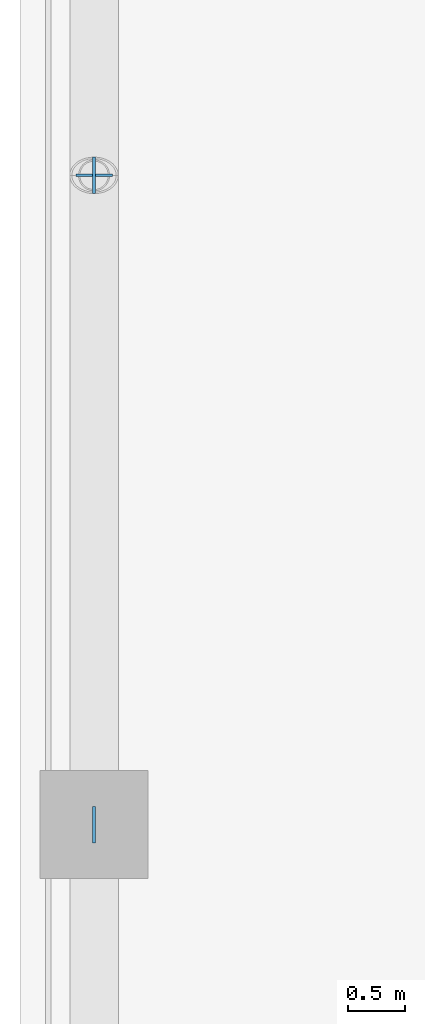
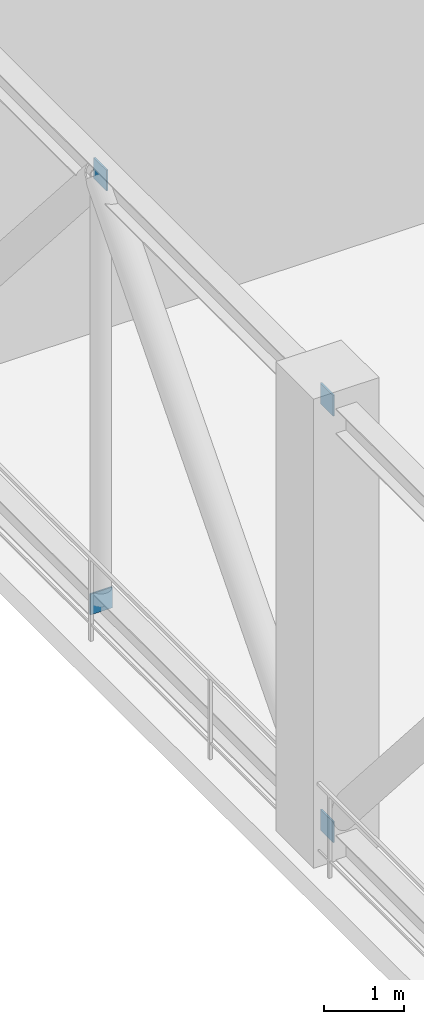
# One storey, part 14 of 20: 4 discrete accessories.
"""IFC4 building model written with IfcOpenShell, lengths in metres."""

from ifc_helpers import new_model, si_unit, direction, frame, origin, origin_2d, place, context, subcontext, project, spatial, rectangle, extrude, material, layer, layer_set, type_object, element, save


model = new_model("IFC4")

# Units and contexts
model_context = context("Model", 3, precision=1e-05, world=origin(), true_north=direction((0.0, 1.0)))
body_context = subcontext(model_context, "Body", "Model", "MODEL_VIEW")
ifc_project = project(units=[si_unit("LENGTHUNIT", "METRE"), si_unit("AREAUNIT", "SQUARE_METRE"), si_unit("VOLUMEUNIT", "CUBIC_METRE"), si_unit("PLANEANGLEUNIT", "RADIAN"), si_unit("MASSUNIT", "GRAM", prefix="KILO")], contexts=[model_context])

# Site, building, storey
site_placement = place(None, origin())
site = spatial("IfcSite", under=ifc_project, at=site_placement, CompositionType="ELEMENT")
building_placement = place(site_placement, origin())
building = spatial("IfcBuilding", under=site, at=building_placement, Name="Svetorya Sky Lyceum", CompositionType="ELEMENT")
storey_placement = place(building_placement, frame((0.0, 0.0, 195.89990234375)))
storey = spatial("IfcBuildingStorey", under=building, at=storey_placement, Name="L49", CompositionType="ELEMENT", Elevation=195.89990234375)

# Discrete accessories
ifc_material = material(Name="Steel S355", Category="steel")
ifc_layer = layer(ifc_material, 0.02392578125)
ifc_layer_set = layer_set([ifc_layer], Name="Steel S355")
discrete_accessory_type = type_object("IfcDiscreteAccessoryType", Name="ACC-GUSSET-24", PredefinedType="BRACKET", material=ifc_layer_set)
for number, where, z_axis, x_axis, name in (
    (1, (17.050048828125, 28.199951171875, 0.037109375), (0.0, 0.0, 1.0), (1.0, 0.0, 0.0), "L49 Brace Node Gusset Plate 163"),
    (2, (17.050048828125, 28.199951171875, 6.5830078125), (0.0, 0.0, 1.0), (1.0, 0.0, 0.0), "L49 Brace Node Gusset Plate 164"),
    (3, (17.050048828125, 33.89990234375, 6.5830078125), (0.0, 0.0, 1.0), (1.0, 0.0, 0.0), "L49 Brace Node Gusset Plate 169"),
):
    element("IfcDiscreteAccessory", number, at=place(storey_placement, frame(where, z_axis=z_axis, x_axis=x_axis)), inside=storey, type_object=discrete_accessory_type, Name=name, PredefinedType="BRACKET", context=body_context, shape_type="SweptSolid", body=[
        extrude(rectangle(XDim=0.02392578125, YDim=0.320068359375, at=origin_2d()), origin(), (0.0, 0.0, 1.0), 0.320068359375),
    ])
discrete_accessory_placement = place(storey_placement, frame((17.050048828125, 33.89990234375, 0.037109375), z_axis=(0.0, 0.0, 1.0), x_axis=(1.0, 0.0, 0.0)))
element("IfcDiscreteAccessory", 4, at=discrete_accessory_placement, inside=storey, type_object=discrete_accessory_type, Name="L49 Brace Node Gusset Plate 170", PredefinedType="BRACKET", context=body_context, shape_type="SweptSolid", body=[
    extrude(rectangle(XDim=0.320068359375, YDim=0.02392578125, at=origin_2d()), origin(), (0.0, 0.0, 1.0), 0.320068359375),
])

save(model, "model.ifc")
